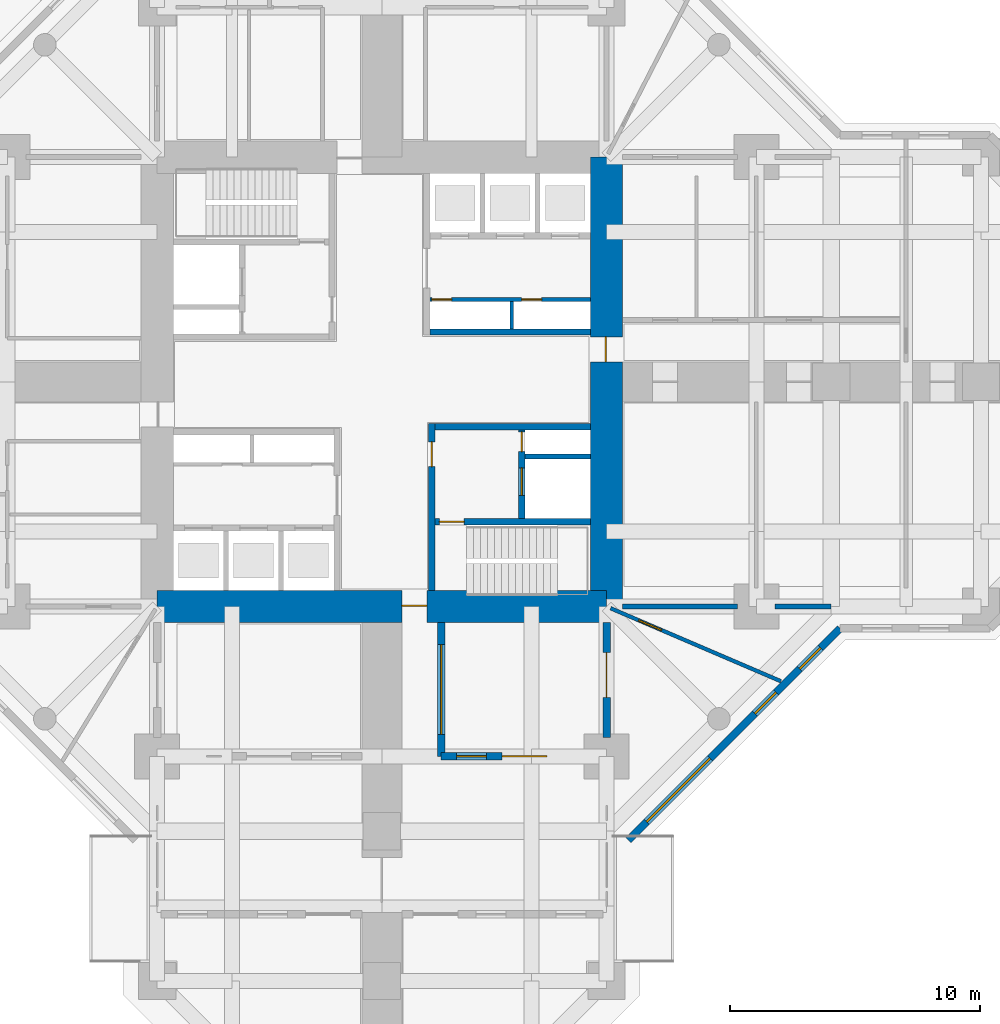
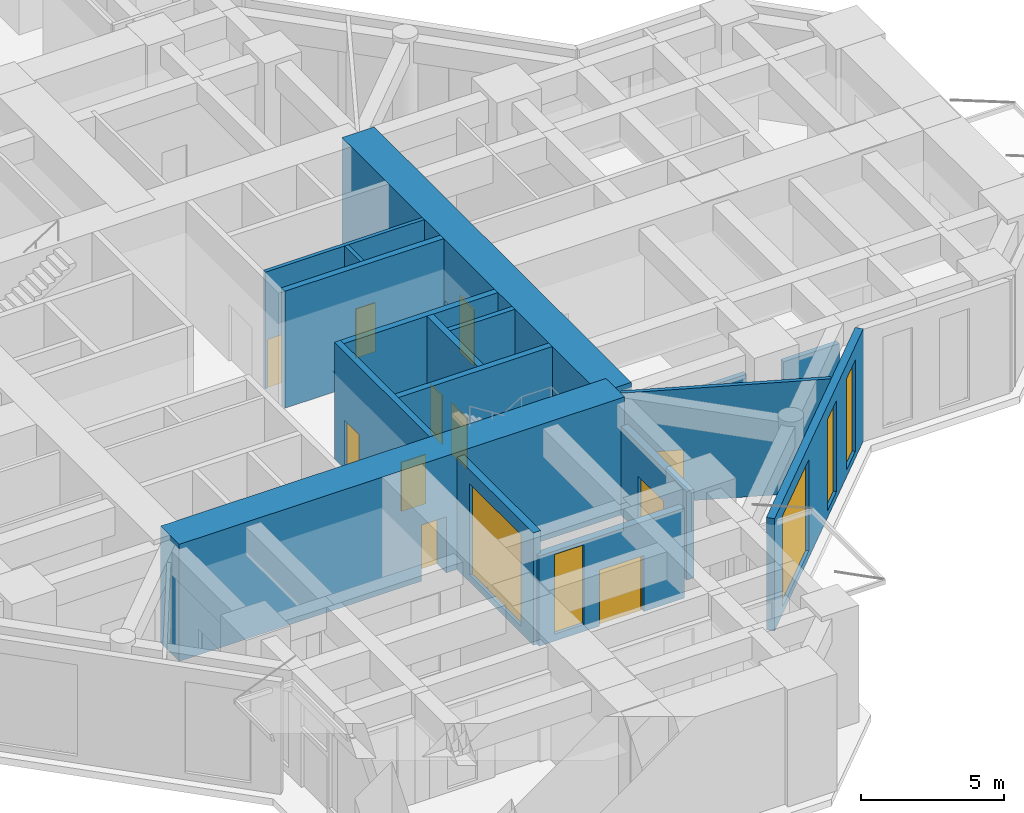
# One storey, part 8 of 14: 17 walls, 11 doors, 5 windows, 16 openings.
"""IFC4 building model written with IfcOpenShell, lengths in metres."""

from ifc_helpers import new_model, si_unit, direction, frame, frame_2d, origin, place, context, subcontext, project, spatial, rectangle, hollow_rectangle, extrude, material, layer, layer_set, constituent, constituent_set, type_object, element, fill, save


model = new_model("IFC4")

# Units and contexts
model_context = context("Model", 3, precision=1e-05, world=origin(), true_north=direction((0.0, 1.0)))
body_context = subcontext(model_context, "Body", "Model", "MODEL_VIEW")
ifc_project = project(units=[si_unit("LENGTHUNIT", "METRE"), si_unit("AREAUNIT", "SQUARE_METRE"), si_unit("VOLUMEUNIT", "CUBIC_METRE"), si_unit("PLANEANGLEUNIT", "RADIAN"), si_unit("MASSUNIT", "GRAM", prefix="KILO")], contexts=[model_context])

# Site, building, storey
site_placement = place(None, origin())
site = spatial("IfcSite", under=ifc_project, at=site_placement, CompositionType="ELEMENT")
building_placement = place(site_placement, origin())
building = spatial("IfcBuilding", under=site, at=building_placement, Name="Torre Cruceta", CompositionType="ELEMENT")
storey_placement = place(building_placement, origin())
storey = spatial("IfcBuildingStorey", under=building, at=storey_placement, Name="L00", CompositionType="ELEMENT", Elevation=0.0)

# Wall, openings, door, window
ifc_material_1 = material(Name="Concrete G30 (fck 30 MPa)", Category="concrete")
ifc_layer_1 = layer(ifc_material_1, 0.300048828125)
ifc_layer_set_1 = layer_set([ifc_layer_1], Name="Concrete G30 (fck 30 MPa)")
wall_type_1 = type_object("IfcWallType", Name="CONCOURSE FRONT WALL 300", PredefinedType="SOLIDWALL", material=ifc_layer_set_1)
wall_1_placement = place(storey_placement, frame((2.375, -15.0, 0.0), z_axis=(0.0, 0.0, 1.0), x_axis=(1.0, 0.0, 0.0)))
wall_1 = element("IfcWall", 1, at=wall_1_placement, inside=storey, type_object=wall_type_1, Name="EW3 L00-S-BFL", PredefinedType="SOLIDWALL", context=body_context, shape_type="SweptSolid", body=[
    extrude(rectangle(XDim=5.875, YDim=0.300048828125, at=frame_2d((2.9375, 0.0))), origin(), (0.0, 0.0, 1.0), 3.85009765625),
])
opening_1_placement = place(wall_1_placement, frame((2.4375, 0.0, 0.0)))
opening_1 = element("IfcOpeningElement", 2, at=opening_1_placement, cuts=wall_1, Name="Opening D13", PredefinedType="OPENING", context=body_context, shape_type="SweptSolid", body=[
    extrude(rectangle(XDim=1.800048828125, YDim=2.39990234375, at=frame_2d((0.89990234375, 1.199951171875))), frame((0.0, 0.159912109375, 0.0), z_axis=(0.0, -1.0, 0.0), x_axis=(1.0, 0.0, 0.0)), (0.0, 0.0, 1.0), 0.320068359375),
])
opening_2_placement = place(wall_1_placement, frame((0.61865234375, 0.0, 0.300048828125)))
opening_2 = element("IfcOpeningElement", 3, at=opening_2_placement, cuts=wall_1, Name="Opening SF6", PredefinedType="OPENING", context=body_context, shape_type="SweptSolid", body=[
    extrude(rectangle(XDim=1.199951171875, YDim=3.39990234375, at=frame_2d((0.60009765625, 1.699951171875))), frame((0.0, 0.159912109375, 0.0), z_axis=(0.0, -1.0, 0.0), x_axis=(1.0, 0.0, 0.0)), (0.0, 0.0, 1.0), 0.320068359375),
])
ifc_material_2 = material(Name="Aluminium 6063-T6", Category="aluminium")
ifc_constituent_1 = constituent(ifc_material_2, Name="Frame")
ifc_material_3 = material(Name="Laminated safety glass", Category="glass")
ifc_constituent_2 = constituent(ifc_material_3, Name="Glazing")
ifc_constituent_set_1 = constituent_set(constituents=[ifc_constituent_1, ifc_constituent_2], Name="Aluminium glazed door")
door_type_1 = type_object("IfcDoorType", Name="CONCOURSE ENTRANCE DOOR 1800X2400", OperationType="DOUBLE_DOOR_DOUBLE_SWING", PredefinedType="DOOR", material=ifc_constituent_set_1)
door_1_placement = place(opening_1_placement, origin())
door_1 = element("IfcDoor", 4, at=door_1_placement, inside=storey, type_object=door_type_1, Name="D13 L00-S-BFL-D1", OperationType="DOUBLE_DOOR_DOUBLE_SWING", OverallHeight=2.39990234375, OverallWidth=1.800048828125, PredefinedType="DOOR", context=body_context, shape_type="SweptSolid", body=[
    extrude(hollow_rectangle(XDim=1.800048828125, YDim=2.39990234375, WallThickness=0.06005859375, at=frame_2d((0.89990234375, 1.199951171875))), frame((0.0, 0.02490234375, 0.0), z_axis=(0.0, -1.0, 0.0), x_axis=(1.0, 0.0, 0.0)), (0.0, 0.0, 1.0), 0.050048828125),
    extrude(rectangle(XDim=1.678955078125, YDim=2.27880859375, at=frame_2d((0.89990234375, 1.199951171875))), frame((0.0, 0.02490234375, 0.0), z_axis=(0.0, -1.0, 0.0), x_axis=(1.0, 0.0, 0.0)), (0.0, 0.0, 1.0), 0.050048828125),
])
fill(opening_1, door_1)
ifc_material_4 = material(Name="Aluminium window frame", Category="aluminium")
ifc_constituent_3 = constituent(ifc_material_4, Name="Frame")
ifc_material_5 = material(Name="Laminated insulating glass unit, low-iron clear", Category="glass")
ifc_constituent_4 = constituent(ifc_material_5, Name="Glazing")
ifc_constituent_set_2 = constituent_set(constituents=[ifc_constituent_3, ifc_constituent_4], Name="Aluminium window")
window_type_1 = type_object("IfcWindowType", Name="SHOPFRONT WINDOW 1200X3400", PartitioningType="SINGLE_PANEL", PredefinedType="WINDOW", material=ifc_constituent_set_2)
window_1_placement = place(opening_2_placement, origin())
window_1 = element("IfcWindow", 5, at=window_1_placement, inside=storey, type_object=window_type_1, Name="SF6 L00 L00-S-BFL 1", OverallHeight=3.39990234375, OverallWidth=1.199951171875, PartitioningType="SINGLE_PANEL", PredefinedType="WINDOW", context=body_context, shape_type="SweptSolid", body=[
    extrude(hollow_rectangle(XDim=1.199951171875, YDim=3.39990234375, WallThickness=0.06005859375, at=frame_2d((0.60009765625, 1.699951171875))), frame((0.0, 0.030029296875, 0.0), z_axis=(0.0, -1.0, 0.0), x_axis=(1.0, 0.0, 0.0)), (0.0, 0.0, 1.0), 0.06005859375),
    extrude(rectangle(XDim=1.078857421875, YDim=3.27880859375, at=frame_2d((0.60009765625, 1.699951171875))), frame((0.0, 0.030029296875, 0.0), z_axis=(0.0, -1.0, 0.0), x_axis=(1.0, 0.0, 0.0)), (0.0, 0.0, 1.0), 0.06005859375),
])
fill(opening_2, window_1)

# Wall, opening, window
wall_2_placement = place(storey_placement, frame((2.375, -9.64990234375, 0.0), z_axis=(0.0, 0.0, 1.0), x_axis=(0.0, -1.0, 0.0)))
wall_2 = element("IfcWall", 6, at=wall_2_placement, inside=storey, type_object=wall_type_1, Name="EW3 L00-S-BSL", PredefinedType="SOLIDWALL", context=body_context, shape_type="SweptSolid", body=[
    extrude(rectangle(XDim=5.35009765625, YDim=0.300048828125, at=frame_2d((2.675048828125, 0.0))), origin(), (0.0, 0.0, 1.0), 4.800048828125),
])
opening_3_placement = place(wall_2_placement, frame((0.875, 0.0, 0.300048828125)))
opening_3 = element("IfcOpeningElement", 7, at=opening_3_placement, cuts=wall_2, Name="Opening SF1", PredefinedType="OPENING", context=body_context, shape_type="SweptSolid", body=[
    extrude(rectangle(XDim=3.60009765625, YDim=3.89990234375, at=frame_2d((1.800048828125, 1.949951171875))), frame((0.0, 0.159912109375, 0.0), z_axis=(0.0, -1.0, 0.0), x_axis=(1.0, 0.0, 0.0)), (0.0, 0.0, 1.0), 0.320068359375),
])
ifc_material_6 = material(Name="Aluminium window frame", Category="aluminium")
ifc_constituent_5 = constituent(ifc_material_6, Name="Frame")
ifc_material_7 = material(Name="Laminated insulating glass unit, low-iron clear", Category="glass")
ifc_constituent_6 = constituent(ifc_material_7, Name="Glazing")
ifc_constituent_set_3 = constituent_set(constituents=[ifc_constituent_5, ifc_constituent_6], Name="Aluminium window")
window_type_2 = type_object("IfcWindowType", Name="SHOPFRONT WINDOW 3600X3900", PartitioningType="SINGLE_PANEL", PredefinedType="WINDOW", material=ifc_constituent_set_3)
window_2_placement = place(opening_3_placement, origin())
window_2 = element("IfcWindow", 8, at=window_2_placement, inside=storey, type_object=window_type_2, Name="SF1 L00 L00-S-BSL 1", OverallHeight=3.89990234375, OverallWidth=3.60009765625, PartitioningType="SINGLE_PANEL", PredefinedType="WINDOW", context=body_context, shape_type="SweptSolid", body=[
    extrude(hollow_rectangle(XDim=3.60009765625, YDim=3.89990234375, WallThickness=0.06005859375, at=frame_2d((1.800048828125, 1.949951171875))), frame((0.0, 0.030029296875, 0.0), z_axis=(0.0, -1.0, 0.0), x_axis=(1.0, 0.0, 0.0)), (0.0, 0.0, 1.0), 0.06005859375),
    extrude(rectangle(XDim=3.47900390625, YDim=3.77880859375, at=frame_2d((1.800048828125, 1.949951171875))), frame((0.0, 0.030029296875, 0.0), z_axis=(0.0, -1.0, 0.0), x_axis=(1.0, 0.0, 0.0)), (0.0, 0.0, 1.0), 0.06005859375),
])
fill(opening_3, window_2)

# Wall, opening, door
wall_3_placement = place(storey_placement, frame((9.0, -9.64990234375, 0.0), z_axis=(0.0, 0.0, 1.0), x_axis=(0.0, -1.0, 0.0)))
wall_3 = element("IfcWall", 9, at=wall_3_placement, inside=storey, type_object=wall_type_1, Name="EW3 L00-WING-S-A1", PredefinedType="SOLIDWALL", context=body_context, shape_type="SweptSolid", body=[
    extrude(rectangle(XDim=4.60009765625, YDim=0.300048828125, at=frame_2d((2.300048828125, 0.0))), origin(), (0.0, 0.0, 1.0), 3.800048828125),
])
opening_4_placement = place(wall_3_placement, frame((1.199951171875, 0.0, 0.0)))
opening_4 = element("IfcOpeningElement", 10, at=opening_4_placement, cuts=wall_3, Name="Opening D13", PredefinedType="OPENING", context=body_context, shape_type="SweptSolid", body=[
    extrude(rectangle(XDim=1.800048828125, YDim=2.39990234375, at=frame_2d((0.89990234375, 1.199951171875))), frame((0.0, 0.159912109375, 0.0), z_axis=(0.0, -1.0, 0.0), x_axis=(1.0, 0.0, 0.0)), (0.0, 0.0, 1.0), 0.320068359375),
])
door_2_placement = place(opening_4_placement, origin())
door_2 = element("IfcDoor", 11, at=door_2_placement, inside=storey, type_object=door_type_1, Name="D13 L00-WING-S-A1-D1", OperationType="DOUBLE_DOOR_DOUBLE_SWING", OverallHeight=2.39990234375, OverallWidth=1.800048828125, PredefinedType="DOOR", context=body_context, shape_type="SweptSolid", body=[
    extrude(hollow_rectangle(XDim=1.800048828125, YDim=2.39990234375, WallThickness=0.06005859375, at=frame_2d((0.89990234375, 1.199951171875))), frame((0.0, 0.02490234375, 0.0), z_axis=(0.0, -1.0, 0.0), x_axis=(1.0, 0.0, 0.0)), (0.0, 0.0, 1.0), 0.050048828125),
    extrude(rectangle(XDim=1.678955078125, YDim=2.27880859375, at=frame_2d((0.89990234375, 1.199951171875))), frame((0.0, 0.02490234375, 0.0), z_axis=(0.0, -1.0, 0.0), x_axis=(1.0, 0.0, 0.0)), (0.0, 0.0, 1.0), 0.050048828125),
])
fill(opening_4, door_2)

# Wall
ifc_material_8 = material(Name="Concrete G60 (fck 60 MPa)", Category="concrete")
ifc_layer_2 = layer(ifc_material_8, 0.25)
ifc_layer_set_2 = layer_set([ifc_layer_2], Name="Concrete G60 (fck 60 MPa)")
wall_type_2 = type_object("IfcWallType", Name="CORE INNER WALL 250 G60", PredefinedType="SHEAR", material=ifc_layer_set_2)
wall_4_placement = place(storey_placement, frame((1.925048828125, 2.0, 0.0), z_axis=(0.0, 0.0, 1.0), x_axis=(1.0, 0.0, 0.0)))
element("IfcWall", 12, at=wall_4_placement, inside=storey, type_object=wall_type_2, Name="CW4 L00 NE-CV", PredefinedType="SHEAR", context=body_context, shape_type="SweptSolid", body=[
    extrude(rectangle(XDim=6.425048828125, YDim=0.25, at=frame_2d((3.21240234375, 0.0))), origin(), (0.0, 0.0, 1.0), 5.0),
])

# Wall, opening, door
wall_5_placement = place(storey_placement, frame((2.0, -1.675048828125, 0.0), z_axis=(0.0, 0.0, 1.0), x_axis=(0.0, -1.0, 0.0)))
wall_5 = element("IfcWall", 13, at=wall_5_placement, inside=storey, type_object=wall_type_2, Name="CW4 L00 SE-CU", PredefinedType="SHEAR", context=body_context, shape_type="SweptSolid", body=[
    extrude(rectangle(XDim=6.675048828125, YDim=0.25, at=frame_2d((3.33740234375, 0.0))), origin(), (0.0, 0.0, 1.0), 5.0),
])
opening_5_placement = place(wall_5_placement, frame((0.72509765625, 0.0, 0.0)))
opening_5 = element("IfcOpeningElement", 14, at=opening_5_placement, cuts=wall_5, Name="Opening D3", PredefinedType="OPENING", context=body_context, shape_type="SweptSolid", body=[
    extrude(rectangle(XDim=1.0, YDim=2.10009765625, at=frame_2d((0.5, 1.050048828125))), frame((0.0, 0.135009765625, 0.0), z_axis=(0.0, -1.0, 0.0), x_axis=(1.0, 0.0, 0.0)), (0.0, 0.0, 1.0), 0.27001953125),
])
ifc_material_9 = material(Name="Steel DX51D", Category="steel")
ifc_constituent_7 = constituent(ifc_material_9, Name="Leaf and frame")
ifc_material_10 = material(Name="Polyester powder coating", Category="paint")
ifc_constituent_8 = constituent(ifc_material_10, Name="Finish")
ifc_constituent_set_4 = constituent_set(constituents=[ifc_constituent_7, ifc_constituent_8], Name="Steel fire door")
door_type_2 = type_object("IfcDoorType", Name="FIRE DOOR 1000X2100", OperationType="SINGLE_SWING_LEFT", PredefinedType="DOOR", material=ifc_constituent_set_4)
door_3_placement = place(opening_5_placement, origin())
door_3 = element("IfcDoor", 15, at=door_3_placement, inside=storey, type_object=door_type_2, Name="D3 L00 SE-LOBBY", OperationType="SINGLE_SWING_LEFT", OverallHeight=2.10009765625, OverallWidth=1.0, PredefinedType="DOOR", context=body_context, shape_type="SweptSolid", body=[
    extrude(rectangle(XDim=1.0, YDim=2.10009765625, at=frame_2d((0.5, 1.050048828125))), frame((0.0, 0.02490234375, 0.0), z_axis=(0.0, -1.0, 0.0), x_axis=(1.0, 0.0, 0.0)), (0.0, 0.0, 1.0), 0.050048828125),
])
fill(opening_5, door_3)

# Wall
wall_6_placement = place(storey_placement, frame((2.125, -1.800048828125, 0.0), z_axis=(0.0, 0.0, 1.0), x_axis=(1.0, 0.0, 0.0)))
element("IfcWall", 16, at=wall_6_placement, inside=storey, type_object=wall_type_2, Name="CW4 L00 SE-CV", PredefinedType="SHEAR", context=body_context, shape_type="SweptSolid", body=[
    extrude(rectangle(XDim=6.22509765625, YDim=0.25, at=frame_2d((3.112548828125, 0.0))), origin(), (0.0, 0.0, 1.0), 5.0),
])

# Wall, opening, door
wall_7_placement = place(storey_placement, frame((2.125, -5.60009765625, 0.0), z_axis=(0.0, 0.0, 1.0), x_axis=(1.0, 0.0, 0.0)))
wall_7 = element("IfcWall", 17, at=wall_7_placement, inside=storey, type_object=wall_type_2, Name="CW4 L00 SE-SV", PredefinedType="SHEAR", context=body_context, shape_type="SweptSolid", body=[
    extrude(rectangle(XDim=6.22509765625, YDim=0.25, at=frame_2d((3.112548828125, 0.0))), origin(), (0.0, 0.0, 1.0), 5.0),
])
opening_6_placement = place(wall_7_placement, frame((0.175048828125, 0.0, 0.0)))
opening_6 = element("IfcOpeningElement", 18, at=opening_6_placement, cuts=wall_7, Name="Opening D3", PredefinedType="OPENING", context=body_context, shape_type="SweptSolid", body=[
    extrude(rectangle(XDim=1.0, YDim=2.10009765625, at=frame_2d((0.5, 1.050048828125))), frame((0.0, 0.135009765625, 0.0), z_axis=(0.0, -1.0, 0.0), x_axis=(1.0, 0.0, 0.0)), (0.0, 0.0, 1.0), 0.27001953125),
])
door_4_placement = place(opening_6_placement, frame((1.0, 0.0, 0.0), z_axis=(0.0, 0.0, 1.0), x_axis=(-1.0, 0.0, 0.0)))
door_4 = element("IfcDoor", 19, at=door_4_placement, inside=storey, type_object=door_type_2, Name="D3 L00 SE-STAIR", OperationType="SINGLE_SWING_RIGHT", OverallHeight=2.10009765625, OverallWidth=1.0, PredefinedType="DOOR", context=body_context, shape_type="SweptSolid", body=[
    extrude(rectangle(XDim=1.0, YDim=2.10009765625, at=frame_2d((0.5, 1.050048828125))), frame((0.0, 0.025146484375, 0.0), z_axis=(0.0, -1.0, 0.0), x_axis=(1.0, 0.0, 0.0)), (0.0, 0.0, 1.0), 0.050048828125),
])
fill(opening_6, door_4)

# Wall, openings, doors
wall_8_placement = place(storey_placement, frame((5.60009765625, -1.925048828125, 0.0), z_axis=(0.0, 0.0, 1.0), x_axis=(0.0, -1.0, 0.0)))
wall_8 = element("IfcWall", 20, at=wall_8_placement, inside=storey, type_object=wall_type_2, Name="CW4 L00 SE-FU", PredefinedType="SHEAR", context=body_context, shape_type="SweptSolid", body=[
    extrude(rectangle(XDim=3.550048828125, YDim=0.25, at=frame_2d((1.77490234375, 0.0))), origin(), (0.0, 0.0, 1.0), 5.0),
])
opening_7_placement = place(wall_8_placement, frame((1.52490234375, 0.0, 0.0)))
opening_7 = element("IfcOpeningElement", 21, at=opening_7_placement, cuts=wall_8, Name="Opening LD1", PredefinedType="OPENING", context=body_context, shape_type="SweptSolid", body=[
    extrude(rectangle(XDim=1.10009765625, YDim=2.199951171875, at=frame_2d((0.550048828125, 1.10009765625))), frame((0.0, 0.135009765625, 0.0), z_axis=(0.0, -1.0, 0.0), x_axis=(1.0, 0.0, 0.0)), (0.0, 0.0, 1.0), 0.27001953125),
])
opening_8_placement = place(wall_8_placement, frame((0.074951171875, 0.0, 0.0)))
opening_8 = element("IfcOpeningElement", 22, at=opening_8_placement, cuts=wall_8, Name="Opening D5", PredefinedType="OPENING", context=body_context, shape_type="SweptSolid", body=[
    extrude(rectangle(XDim=0.800048828125, YDim=2.10009765625, at=frame_2d((0.39990234375, 1.050048828125))), frame((0.0, 0.135009765625, 0.0), z_axis=(0.0, -1.0, 0.0), x_axis=(1.0, 0.0, 0.0)), (0.0, 0.0, 1.0), 0.27001953125),
])
ifc_material_11 = material(Name="Stainless steel 1.4401", Category="steel")
door_type_3 = type_object("IfcDoorType", Name="LIFT LANDING DOOR 1100X2200", OperationType="DOUBLE_DOOR_SLIDING", PredefinedType="DOOR", material=ifc_material_11)
door_5_placement = place(opening_7_placement, origin())
door_5 = element("IfcDoor", 23, at=door_5_placement, inside=storey, type_object=door_type_3, Name="Lift landing door FL2", OperationType="DOUBLE_DOOR_SLIDING", OverallHeight=2.199951171875, OverallWidth=1.10009765625, PredefinedType="DOOR", context=body_context, shape_type="SweptSolid", body=[
    extrude(rectangle(XDim=1.10009765625, YDim=2.199951171875, at=frame_2d((0.550048828125, 1.10009765625))), frame((0.0, 0.02490234375, 0.0), z_axis=(0.0, -1.0, 0.0), x_axis=(1.0, 0.0, 0.0)), (0.0, 0.0, 1.0), 0.050048828125),
])
fill(opening_7, door_5)
ifc_material_12 = material(Name="Steel DX51D", Category="steel")
ifc_constituent_9 = constituent(ifc_material_12, Name="Leaf and frame")
ifc_material_13 = material(Name="Polyester powder coating", Category="paint")
ifc_constituent_10 = constituent(ifc_material_13, Name="Finish")
ifc_constituent_set_5 = constituent_set(constituents=[ifc_constituent_9, ifc_constituent_10], Name="Steel fire door")
door_type_4 = type_object("IfcDoorType", Name="RISER ACCESS DOOR 800X2100", OperationType="SINGLE_SWING_LEFT", PredefinedType="DOOR", material=ifc_constituent_set_5)
door_6_placement = place(opening_8_placement, origin())
door_6 = element("IfcDoor", 24, at=door_6_placement, inside=storey, type_object=door_type_4, Name="D5 L00 SE-RISER", OperationType="SINGLE_SWING_LEFT", OverallHeight=2.10009765625, OverallWidth=0.800048828125, PredefinedType="DOOR", context=body_context, shape_type="SweptSolid", body=[
    extrude(rectangle(XDim=0.800048828125, YDim=2.10009765625, at=frame_2d((0.39990234375, 1.050048828125))), frame((0.0, 0.02490234375, 0.0), z_axis=(0.0, -1.0, 0.0), x_axis=(1.0, 0.0, 0.0)), (0.0, 0.0, 1.0), 0.050048828125),
])
fill(opening_8, door_6)

# Wall, opening, door
ifc_material_14 = material(Name="Concrete G60 (fck 60 MPa)", Category="concrete")
ifc_layer_3 = layer(ifc_material_14, 1.300048828125)
ifc_layer_set_3 = layer_set([ifc_layer_3], Name="Concrete G60 (fck 60 MPa)")
wall_type_3 = type_object("IfcWallType", Name="CORE WALL 1300 G60", PredefinedType="SHEAR", material=ifc_layer_set_3)
wall_9_placement = place(storey_placement, frame((-9.0, -9.0, 0.0), z_axis=(0.0, 0.0, 1.0), x_axis=(1.0, 0.0, 0.0)))
wall_9 = element("IfcWall", 25, at=wall_9_placement, inside=storey, type_object=wall_type_3, Name="CW1 L00 CW-S", PredefinedType="SHEAR", context=body_context, shape_type="SweptSolid", body=[
    extrude(rectangle(XDim=18.0, YDim=1.300048828125, at=frame_2d((9.0, 0.0))), origin(), (0.0, 0.0, 1.0), 5.0),
])
opening_9_placement = place(wall_9_placement, frame((9.800048828125, 0.0, 0.0)))
opening_9 = element("IfcOpeningElement", 26, at=opening_9_placement, cuts=wall_9, Name="Opening D4", PredefinedType="OPENING", context=body_context, shape_type="SweptSolid", body=[
    extrude(rectangle(XDim=1.0, YDim=2.39990234375, at=frame_2d((0.5, 1.199951171875))), frame((0.0, 0.659912109375, 0.0), z_axis=(0.0, -1.0, 0.0), x_axis=(1.0, 0.0, 0.0)), (0.0, 0.0, 1.0), 1.320068359375),
])
ifc_material_15 = material(Name="Steel DX51D", Category="steel")
ifc_constituent_11 = constituent(ifc_material_15, Name="Leaf and frame")
ifc_material_16 = material(Name="Polyester powder coating", Category="paint")
ifc_constituent_12 = constituent(ifc_material_16, Name="Finish")
ifc_constituent_set_6 = constituent_set(constituents=[ifc_constituent_11, ifc_constituent_12], Name="Steel fire door")
door_type_5 = type_object("IfcDoorType", Name="CORE ARM DOOR 1000X2400", OperationType="SINGLE_SWING_RIGHT", PredefinedType="DOOR", material=ifc_constituent_set_6)
door_7_placement = place(opening_9_placement, frame((1.0, 0.0, 0.0), z_axis=(0.0, 0.0, 1.0), x_axis=(-1.0, 0.0, 0.0)))
door_7 = element("IfcDoor", 27, at=door_7_placement, inside=storey, type_object=door_type_5, Name="Concourse door L00", OperationType="SINGLE_SWING_RIGHT", OverallHeight=2.39990234375, OverallWidth=1.0, PredefinedType="DOOR", context=body_context, shape_type="SweptSolid", body=[
    extrude(rectangle(XDim=1.0, YDim=2.39990234375, at=frame_2d((0.5, 1.199951171875))), frame((0.0, -0.005126953125, 0.0), z_axis=(0.0, -1.0, 0.0), x_axis=(1.0, 0.0, 0.0)), (0.0, 0.0, 1.0), 0.050048828125),
])
fill(opening_9, door_7)

wall_10_placement = place(storey_placement, frame((9.0, -9.0, 0.0), z_axis=(0.0, 0.0, 1.0), x_axis=(0.0, 1.0, 0.0)))
wall_10 = element("IfcWall", 28, at=wall_10_placement, inside=storey, type_object=wall_type_3, Name="CW1 L00 CW-E", PredefinedType="SHEAR", context=body_context, shape_type="SweptSolid", body=[
    extrude(rectangle(XDim=18.0, YDim=1.300048828125, at=frame_2d((9.0, 0.0))), origin(), (0.0, 0.0, 1.0), 5.0),
])
opening_10_placement = place(wall_10_placement, frame((9.800048828125, 0.0, 0.0)))
opening_10 = element("IfcOpeningElement", 29, at=opening_10_placement, cuts=wall_10, Name="Opening D4", PredefinedType="OPENING", context=body_context, shape_type="SweptSolid", body=[
    extrude(rectangle(XDim=1.0, YDim=2.39990234375, at=frame_2d((0.5, 1.199951171875))), frame((0.0, 0.659912109375, 0.0), z_axis=(0.0, -1.0, 0.0), x_axis=(1.0, 0.0, 0.0)), (0.0, 0.0, 1.0), 1.320068359375),
])
door_8_placement = place(opening_10_placement, origin())
door_8 = element("IfcDoor", 30, at=door_8_placement, inside=storey, type_object=door_type_5, Name="D4 L00 CW-E", OperationType="SINGLE_SWING_RIGHT", OverallHeight=2.39990234375, OverallWidth=1.0, PredefinedType="DOOR", context=body_context, shape_type="SweptSolid", body=[
    extrude(rectangle(XDim=1.0, YDim=2.39990234375, at=frame_2d((0.5, 1.199951171875))), frame((0.0, 0.05517578125, 0.0), z_axis=(0.0, -1.0, 0.0), x_axis=(1.0, 0.0, 0.0)), (0.0, 0.0, 1.0), 0.050048828125),
])
fill(opening_10, door_8)

# Wall, openings, windows
ifc_material_17 = material(Name="Concrete G30 (fck 30 MPa)", Category="concrete")
ifc_layer_4 = layer(ifc_material_17, 0.300048828125)
ifc_layer_set_4 = layer_set([ifc_layer_4], Name="Concrete G30 (fck 30 MPa)")
wall_type_4 = type_object("IfcWallType", Name="EXPOSED CONCRETE FACADE WALL 300", PredefinedType="SOLIDWALL", material=ifc_layer_set_4)
wall_11_placement = place(storey_placement, frame((9.8701171875, -18.3603515625, 0.0), z_axis=(0.0, 0.0, 1.0), x_axis=(0.707106781187, 0.707106781187, 0.0)))
wall_11 = element("IfcWall", 31, at=wall_11_placement, inside=storey, type_object=wall_type_4, Name="EW1 facade wall L00 S wing 23", PredefinedType="SOLIDWALL", context=body_context, shape_type="SweptSolid", body=[
    extrude(rectangle(XDim=12.007080078125, YDim=0.300048828125, at=frame_2d((6.00341796875, 0.0))), origin(), (0.0, 0.0, 1.0), 4.800048828125),
])
opening_11_placement = place(wall_11_placement, frame((1.03369140625, 0.0, 0.300048828125)))
opening_11 = element("IfcOpeningElement", 32, at=opening_11_placement, cuts=wall_11, Name="Opening SF1", PredefinedType="OPENING", context=body_context, shape_type="SweptSolid", body=[
    extrude(rectangle(XDim=3.60009765625, YDim=3.89990234375, at=frame_2d((1.800048828125, 1.949951171875))), frame((0.0, 0.159912109375, 0.0), z_axis=(0.0, -1.0, 0.0), x_axis=(1.0, 0.0, 0.0)), (0.0, 0.0, 1.0), 0.320068359375),
])
opening_12_placement = place(wall_11_placement, frame((7.168701171875, 0.0, 0.300048828125)))
opening_12 = element("IfcOpeningElement", 33, at=opening_12_placement, cuts=wall_11, Name="Opening SF3", PredefinedType="OPENING", context=body_context, shape_type="SweptSolid", body=[
    extrude(rectangle(XDim=1.199951171875, YDim=3.89990234375, at=frame_2d((0.60009765625, 1.949951171875))), frame((0.0, 0.159912109375, 0.0), z_axis=(0.0, -1.0, 0.0), x_axis=(1.0, 0.0, 0.0)), (0.0, 0.0, 1.0), 0.320068359375),
])
opening_13_placement = place(wall_11_placement, frame((9.7021484375, 0.0, 0.300048828125)))
opening_13 = element("IfcOpeningElement", 34, at=opening_13_placement, cuts=wall_11, Name="Opening SF3", PredefinedType="OPENING", context=body_context, shape_type="SweptSolid", body=[
    extrude(rectangle(XDim=1.199951171875, YDim=3.89990234375, at=frame_2d((0.60009765625, 1.949951171875))), frame((0.0, 0.159912109375, 0.0), z_axis=(0.0, -1.0, 0.0), x_axis=(1.0, 0.0, 0.0)), (0.0, 0.0, 1.0), 0.320068359375),
])
ifc_material_18 = material(Name="Aluminium window frame", Category="aluminium")
ifc_constituent_13 = constituent(ifc_material_18, Name="Frame")
ifc_material_19 = material(Name="Laminated insulating glass unit, low-iron clear", Category="glass")
ifc_constituent_14 = constituent(ifc_material_19, Name="Glazing")
ifc_constituent_set_7 = constituent_set(constituents=[ifc_constituent_13, ifc_constituent_14], Name="Aluminium window")
window_type_3 = type_object("IfcWindowType", Name="SHOPFRONT WINDOW 1200X3900", PartitioningType="SINGLE_PANEL", PredefinedType="WINDOW", material=ifc_constituent_set_7)
window_3_placement = place(opening_12_placement, origin())
window_3 = element("IfcWindow", 35, at=window_3_placement, inside=storey, type_object=window_type_3, Name="SF3 L00 S 2", OverallHeight=3.89990234375, OverallWidth=1.199951171875, PartitioningType="SINGLE_PANEL", PredefinedType="WINDOW", context=body_context, shape_type="SweptSolid", body=[
    extrude(hollow_rectangle(XDim=1.199951171875, YDim=3.89990234375, WallThickness=0.06005859375, at=frame_2d((0.60009765625, 1.949951171875))), frame((0.0, 0.030029296875, 0.0), z_axis=(0.0, -1.0, 0.0), x_axis=(1.0, 0.0, 0.0)), (0.0, 0.0, 1.0), 0.06005859375),
    extrude(rectangle(XDim=1.078857421875, YDim=3.77880859375, at=frame_2d((0.60009765625, 1.949951171875))), frame((0.0, 0.030029296875, 0.0), z_axis=(0.0, -1.0, 0.0), x_axis=(1.0, 0.0, 0.0)), (0.0, 0.0, 1.0), 0.06005859375),
])
fill(opening_12, window_3)
window_4_placement = place(opening_13_placement, origin())
window_4 = element("IfcWindow", 36, at=window_4_placement, inside=storey, type_object=window_type_3, Name="SF3 L00 S 3", OverallHeight=3.89990234375, OverallWidth=1.199951171875, PartitioningType="SINGLE_PANEL", PredefinedType="WINDOW", context=body_context, shape_type="SweptSolid", body=[
    extrude(hollow_rectangle(XDim=1.199951171875, YDim=3.89990234375, WallThickness=0.06005859375, at=frame_2d((0.60009765625, 1.949951171875))), frame((0.0, 0.030029296875, 0.0), z_axis=(0.0, -1.0, 0.0), x_axis=(1.0, 0.0, 0.0)), (0.0, 0.0, 1.0), 0.06005859375),
    extrude(rectangle(XDim=1.078857421875, YDim=3.77880859375, at=frame_2d((0.60009765625, 1.949951171875))), frame((0.0, 0.030029296875, 0.0), z_axis=(0.0, -1.0, 0.0), x_axis=(1.0, 0.0, 0.0)), (0.0, 0.0, 1.0), 0.06005859375),
])
fill(opening_13, window_4)
window_5_placement = place(opening_11_placement, origin())
window_5 = element("IfcWindow", 37, at=window_5_placement, inside=storey, type_object=window_type_2, Name="SF1 L00 S 1", OverallHeight=3.89990234375, OverallWidth=3.60009765625, PartitioningType="SINGLE_PANEL", PredefinedType="WINDOW", context=body_context, shape_type="SweptSolid", body=[
    extrude(hollow_rectangle(XDim=3.60009765625, YDim=3.89990234375, WallThickness=0.06005859375, at=frame_2d((1.800048828125, 1.949951171875))), frame((0.0, 0.030029296875, 0.0), z_axis=(0.0, -1.0, 0.0), x_axis=(1.0, 0.0, 0.0)), (0.0, 0.0, 1.0), 0.06005859375),
    extrude(rectangle(XDim=3.47900390625, YDim=3.77880859375, at=frame_2d((1.800048828125, 1.949951171875))), frame((0.0, 0.030029296875, 0.0), z_axis=(0.0, -1.0, 0.0), x_axis=(1.0, 0.0, 0.0)), (0.0, 0.0, 1.0), 0.06005859375),
])
fill(opening_11, window_5)

# Wall
ifc_material_20 = material(Name="Concrete G35 (fck 35 MPa)", Category="concrete")
ifc_layer_5 = layer(ifc_material_20, 0.199951171875)
ifc_layer_set_5 = layer_set([ifc_layer_5], Name="Concrete G35 (fck 35 MPa)")
wall_type_5 = type_object("IfcWallType", Name="LIFT SHAFT WALL 200", PredefinedType="PARTITIONING", material=ifc_layer_set_5)
wall_12_placement = place(storey_placement, frame((5.72509765625, -3.0, 0.0), z_axis=(0.0, 0.0, 1.0), x_axis=(1.0, 0.0, 0.0)))
element("IfcWall", 38, at=wall_12_placement, inside=storey, type_object=wall_type_5, Name="SW1 L00 SE-FR", PredefinedType="PARTITIONING", context=body_context, shape_type="SweptSolid", body=[
    extrude(rectangle(XDim=2.625, YDim=0.199951171875, at=frame_2d((1.3125, 0.0))), origin(), (0.0, 0.0, 1.0), 5.0),
])

# Wall, opening, door
ifc_material_21 = material(Name="Plasterboard on steel studs", Category="steel")
ifc_layer_6 = layer(ifc_material_21, 0.14990234375)
ifc_layer_set_6 = layer_set([ifc_layer_6], Name="Plasterboard on steel studs")
wall_type_6 = type_object("IfcWallType", Name="PARTITION 150", PredefinedType="PARTITIONING", material=ifc_layer_set_6)
wall_13_placement = place(storey_placement, frame((9.160888671875, -9.06884765625, 0.0), z_axis=(0.0, 0.0, 1.0), x_axis=(0.919138226556, -0.393935172945, 0.0)))
wall_13 = element("IfcWall", 39, at=wall_13_placement, inside=storey, type_object=wall_type_6, Name="PT1 L00-WING-S-X", PredefinedType="PARTITIONING", context=body_context, shape_type="SweptSolid", body=[
    extrude(rectangle(XDim=7.424560546875, YDim=0.14990234375, at=frame_2d((3.71240234375, 0.0))), origin(), (0.0, 0.0, 1.0), 4.800048828125),
])
opening_14_placement = place(wall_13_placement, frame((1.22509765625, 0.0, 0.0)))
opening_14 = element("IfcOpeningElement", 40, at=opening_14_placement, cuts=wall_13, Name="Opening D14", PredefinedType="OPENING", context=body_context, shape_type="SweptSolid", body=[
    extrude(rectangle(XDim=1.0, YDim=2.199951171875, at=frame_2d((0.5, 1.10009765625))), frame((0.0, 0.0849609375, 0.0), z_axis=(0.0, -1.0, 0.0), x_axis=(1.0, 0.0, 0.0)), (0.0, 0.0, 1.0), 0.169921875),
])
ifc_material_22 = material(Name="Steel DX51D", Category="steel")
ifc_constituent_15 = constituent(ifc_material_22, Name="Leaf and frame")
ifc_material_23 = material(Name="Polyester powder coating", Category="paint")
ifc_constituent_16 = constituent(ifc_material_23, Name="Finish")
ifc_material_24 = material(Name="Fire-resisting glass", Category="glass")
ifc_constituent_17 = constituent(ifc_material_24, Name="Vision panel")
ifc_constituent_set_8 = constituent_set(constituents=[ifc_constituent_15, ifc_constituent_16, ifc_constituent_17], Name="Steel fire door with vision panel")
door_type_6 = type_object("IfcDoorType", Name="FIRE DOOR VISION PANEL 1000X2200", OperationType="SINGLE_SWING_RIGHT", PredefinedType="DOOR", material=ifc_constituent_set_8)
door_9_placement = place(opening_14_placement, origin())
door_9 = element("IfcDoor", 41, at=door_9_placement, inside=storey, type_object=door_type_6, Name="D14 L00-WING-S-X-D1", OperationType="SINGLE_SWING_LEFT", OverallHeight=2.199951171875, OverallWidth=1.0, PredefinedType="DOOR", context=body_context, shape_type="SweptSolid", body=[
    extrude(rectangle(XDim=1.0, YDim=2.199951171875, at=frame_2d((0.5, 1.10009765625))), frame((0.0, 0.02490234375, 0.0), z_axis=(0.0, -1.0, 0.0), x_axis=(1.0, 0.0, 0.0)), (0.0, 0.0, 1.0), 0.050048828125),
])
fill(opening_14, door_9)

# Wall, openings, doors
ifc_material_25 = material(Name="Concrete block masonry", Category="masonry")
ifc_layer_7 = layer(ifc_material_25, 0.14990234375)
ifc_layer_set_7 = layer_set([ifc_layer_7], Name="Concrete block masonry")
wall_type_7 = type_object("IfcWallType", Name="RISER WALL 150", PredefinedType="PARTITIONING", material=ifc_layer_set_7)
wall_14_placement = place(storey_placement, frame((1.925048828125, 3.300048828125, 0.0), z_axis=(0.0, 0.0, 1.0), x_axis=(1.0, 0.0, 0.0)))
wall_14 = element("IfcWall", 42, at=wall_14_placement, inside=storey, type_object=wall_type_7, Name="SW7 L00 NE-RV", PredefinedType="PARTITIONING", context=body_context, shape_type="SweptSolid", body=[
    extrude(rectangle(XDim=6.425048828125, YDim=0.14990234375, at=frame_2d((3.21240234375, 0.0))), origin(), (0.0, 0.0, 1.0), 5.0),
])
opening_15_placement = place(wall_14_placement, frame((0.074951171875, 0.0, 0.0)))
opening_15 = element("IfcOpeningElement", 43, at=opening_15_placement, cuts=wall_14, Name="Opening D5", PredefinedType="OPENING", context=body_context, shape_type="SweptSolid", body=[
    extrude(rectangle(XDim=0.800048828125, YDim=2.10009765625, at=frame_2d((0.39990234375, 1.050048828125))), frame((0.0, 0.0849609375, 0.0), z_axis=(0.0, -1.0, 0.0), x_axis=(1.0, 0.0, 0.0)), (0.0, 0.0, 1.0), 0.169921875),
])
opening_16_placement = place(wall_14_placement, frame((3.675048828125, 0.0, 0.0)))
opening_16 = element("IfcOpeningElement", 44, at=opening_16_placement, cuts=wall_14, Name="Opening D5", PredefinedType="OPENING", context=body_context, shape_type="SweptSolid", body=[
    extrude(rectangle(XDim=0.800048828125, YDim=2.10009765625, at=frame_2d((0.39990234375, 1.050048828125))), frame((0.0, 0.0849609375, 0.0), z_axis=(0.0, -1.0, 0.0), x_axis=(1.0, 0.0, 0.0)), (0.0, 0.0, 1.0), 0.169921875),
])
door_10_placement = place(opening_15_placement, frame((0.800048828125, 0.0, 0.0), z_axis=(0.0, 0.0, 1.0), x_axis=(-1.0, 0.0, 0.0)))
door_10 = element("IfcDoor", 45, at=door_10_placement, inside=storey, type_object=door_type_4, Name="D5 L00 NE-RISER1", OperationType="SINGLE_SWING_RIGHT", OverallHeight=2.10009765625, OverallWidth=0.800048828125, PredefinedType="DOOR", context=body_context, shape_type="SweptSolid", body=[
    extrude(rectangle(XDim=0.800048828125, YDim=2.10009765625, at=frame_2d((0.400146484375, 1.050048828125))), frame((0.0, 0.025146484375, 0.0), z_axis=(0.0, -1.0, 0.0), x_axis=(1.0, 0.0, 0.0)), (0.0, 0.0, 1.0), 0.050048828125),
])
fill(opening_15, door_10)
door_11_placement = place(opening_16_placement, frame((0.800048828125, 0.0, 0.0), z_axis=(0.0, 0.0, 1.0), x_axis=(-1.0, 0.0, 0.0)))
door_11 = element("IfcDoor", 46, at=door_11_placement, inside=storey, type_object=door_type_4, Name="D5 L00 NE-RISER2", OperationType="SINGLE_SWING_RIGHT", OverallHeight=2.10009765625, OverallWidth=0.800048828125, PredefinedType="DOOR", context=body_context, shape_type="SweptSolid", body=[
    extrude(rectangle(XDim=0.800048828125, YDim=2.10009765625, at=frame_2d((0.400146484375, 1.050048828125))), frame((0.0, 0.025146484375, 0.0), z_axis=(0.0, -1.0, 0.0), x_axis=(1.0, 0.0, 0.0)), (0.0, 0.0, 1.0), 0.050048828125),
])
fill(opening_16, door_11)

# Walls
wall_15_placement = place(storey_placement, frame((5.199951171875, 2.125, 0.0), z_axis=(0.0, 0.0, 1.0), x_axis=(0.0, 1.0, 0.0)))
element("IfcWall", 47, at=wall_15_placement, inside=storey, type_object=wall_type_7, Name="SW7 L00 NE-RU", PredefinedType="PARTITIONING", context=body_context, shape_type="SweptSolid", body=[
    extrude(rectangle(XDim=1.10009765625, YDim=0.14990234375, at=frame_2d((0.550048828125, 0.0))), origin(), (0.0, 0.0, 1.0), 5.0),
])
ifc_material_26 = material(Name="Concrete G25 (fck 25 MPa)", Category="concrete")
ifc_layer_8 = layer(ifc_material_26, 0.199951171875)
ifc_layer_set_8 = layer_set([ifc_layer_8], Name="Concrete G25 (fck 25 MPa)")
wall_type_8 = type_object("IfcWallType", Name="WING SEPARATING WALL 200", PredefinedType="SOLIDWALL", material=ifc_layer_set_8)
wall_16_placement = place(storey_placement, frame((14.25, -9.0, 0.0), z_axis=(0.0, 0.0, 1.0), x_axis=(-1.0, 0.0, 0.0)))
element("IfcWall", 48, at=wall_16_placement, inside=storey, type_object=wall_type_8, Name="PT6 L00-WING-S-B1", PredefinedType="SOLIDWALL", context=body_context, shape_type="SweptSolid", body=[
    extrude(rectangle(XDim=4.60009765625, YDim=0.199951171875, at=frame_2d((2.300048828125, 0.0))), origin(), (0.0, 0.0, 1.0), 3.800048828125),
])
wall_17_placement = place(storey_placement, frame((18.0, -9.0, 0.0), z_axis=(0.0, 0.0, 1.0), x_axis=(-1.0, 0.0, 0.0)))
element("IfcWall", 49, at=wall_17_placement, inside=storey, type_object=wall_type_8, Name="PT6 L00-WING-S-B2", PredefinedType="SOLIDWALL", context=body_context, shape_type="SweptSolid", body=[
    extrude(rectangle(XDim=2.25, YDim=0.199951171875, at=frame_2d((1.125, 0.0))), origin(), (0.0, 0.0, 1.0), 3.800048828125),
])

save(model, "model.ifc")
